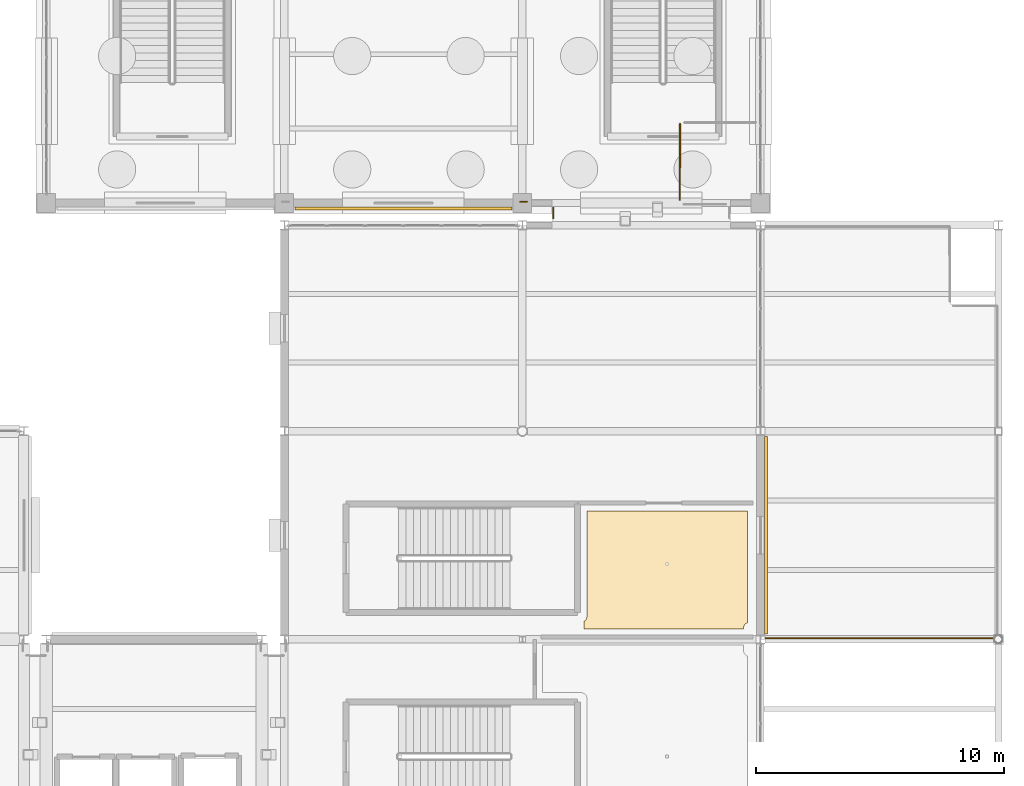
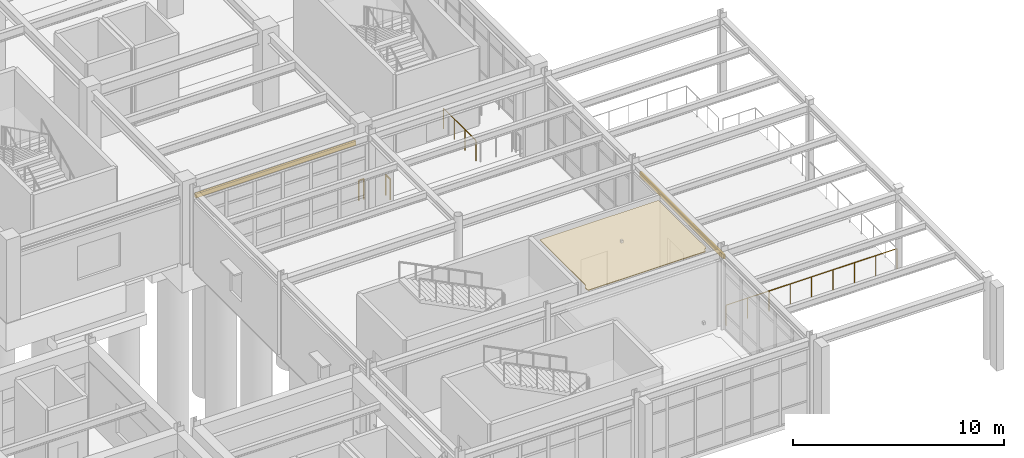
# One storey, part 128 of 139: 4 railings, 3 coverings.
"""IFC4 building model written with IfcOpenShell, lengths in metres."""

from ifc_helpers import new_model, si_unit, direction, frame, origin, origin_2d, place, context, subcontext, project, spatial, polyline, rectangle, circle, outline, extrude, material, layer, layer_set, type_object, element, save


model = new_model("IFC4")

# Units and contexts
model_context = context("Model", 3, precision=1e-05, world=origin(), true_north=direction((0.0, 1.0)))
body_context = subcontext(model_context, "Body", "Model", "MODEL_VIEW")
ifc_project = project(units=[si_unit("LENGTHUNIT", "METRE"), si_unit("AREAUNIT", "SQUARE_METRE"), si_unit("VOLUMEUNIT", "CUBIC_METRE"), si_unit("PLANEANGLEUNIT", "RADIAN"), si_unit("MASSUNIT", "GRAM", prefix="KILO")], contexts=[model_context])

# Site, building, storey
site_placement = place(None, origin())
site = spatial("IfcSite", under=ifc_project, at=site_placement, CompositionType="ELEMENT")
building_placement = place(site_placement, origin())
building = spatial("IfcBuilding", under=site, at=building_placement, Name="Canglan Escarpment Cableway Terminal", CompositionType="ELEMENT")
storey_placement = place(building_placement, frame((0.0, 0.0, 14.39990234375)))
storey = spatial("IfcBuildingStorey", under=building, at=storey_placement, Name="L03", CompositionType="ELEMENT", Elevation=14.39990234375)

# Coverings
ifc_material_1 = material(Name="Micro-perforated acoustic aluminium ceiling", Category="aluminium")
ifc_layer_1 = layer(ifc_material_1, 0.0400390625, Name="Micro-perforated acoustic aluminium ceiling")
ifc_layer_set_1 = layer_set([ifc_layer_1], Name="Micro-perforated acoustic aluminium ceiling")
covering_type_1 = type_object("IfcCoveringType", Name="COV-CEIL-ACOUSTIC-40", PredefinedType="CEILING", material=ifc_layer_set_1)
covering_1_placement = place(storey_placement, frame((0.0, 0.0, 4.340087890625)))
element("IfcCovering", 1, at=covering_1_placement, inside=storey, type_object=covering_type_1, Name="Panorama Bistro Bar suspended acoustic ceiling", PredefinedType="CEILING", context=body_context, shape_type="SweptSolid", body=[
    extrude(outline(polyline([(159.280029296875, 17.1123046875), (159.280029296875, 17.1142578125), (159.280517578125, 17.1162109375), (159.28076171875, 17.117919921875), (159.281494140625, 17.11962890625), (159.2822265625, 17.12158203125), (159.283203125, 17.123046875), (159.2841796875, 17.12451171875), (159.285400390625, 17.126220703125), (159.28662109375, 17.12744140625), (159.2880859375, 17.12841796875), (159.289794921875, 17.129638671875), (159.3017578125, 17.13671875), (159.302490234375, 17.137451171875), (159.319091796875, 17.149658203125), (159.31982421875, 17.150390625), (159.335205078125, 17.1640625), (159.3359375, 17.164794921875), (159.349609375, 17.18017578125), (159.350341796875, 17.180908203125), (159.362548828125, 17.197509765625), (159.36328125, 17.1982421875), (159.373779296875, 17.2158203125), (159.374267578125, 17.216796875), (159.383056640625, 17.2353515625), (159.38330078125, 17.236328125), (159.390380859375, 17.255615234375), (159.390625, 17.256591796875), (159.395751953125, 17.276611328125), (159.395751953125, 17.277587890625), (159.39892578125, 17.298095703125), (159.39892578125, 17.298828125), (159.39990234375, 17.31982421875), (159.39990234375, 17.3203125), (159.39990234375, 21.56005859375), (159.400146484375, 21.56201171875), (159.400390625, 21.56396484375), (159.40087890625, 21.56591796875), (159.401611328125, 21.567626953125), (159.40234375, 21.5693359375), (159.4033203125, 21.571044921875), (159.404541015625, 21.57275390625), (159.406005859375, 21.57421875), (159.4072265625, 21.575439453125), (159.408935546875, 21.57666015625), (159.41064453125, 21.57763671875), (159.412353515625, 21.57861328125), (159.414306640625, 21.5791015625), (159.416015625, 21.57958984375), (159.41796875, 21.579833984375), (159.419921875, 21.580078125), (165.860107421875, 21.580078125), (165.862060546875, 21.579833984375), (165.864013671875, 21.57958984375), (165.86572265625, 21.5791015625), (165.86767578125, 21.57861328125), (165.869384765625, 21.57763671875), (165.87109375, 21.57666015625), (165.872802734375, 21.575439453125), (165.8740234375, 21.57421875), (165.87548828125, 21.57275390625), (165.876708984375, 21.571044921875), (165.877685546875, 21.5693359375), (165.87841796875, 21.567626953125), (165.879150390625, 21.56591796875), (165.879638671875, 21.56396484375), (165.8798828125, 21.56201171875), (165.8798828125, 21.56005859375), (165.8798828125, 17.0859375), (165.8798828125, 17.083984375), (165.879638671875, 17.082275390625), (165.879150390625, 17.080322265625), (165.878662109375, 17.07861328125), (165.877685546875, 17.076904296875), (165.876953125, 17.0751953125), (165.875732421875, 17.07373046875), (165.87451171875, 17.072265625), (165.873291015625, 17.071044921875), (165.87158203125, 17.06982421875), (165.8701171875, 17.06884765625), (165.868408203125, 17.06787109375), (165.86669921875, 17.067138671875), (165.856201171875, 17.0634765625), (165.85546875, 17.06298828125), (165.836669921875, 17.05419921875), (165.8359375, 17.0537109375), (165.818115234375, 17.043212890625), (165.8173828125, 17.04248046875), (165.80078125, 17.030517578125), (165.800048828125, 17.02978515625), (165.784912109375, 17.015869140625), (165.7841796875, 17.01513671875), (165.770263671875, 17.0), (165.76953125, 16.999267578125), (165.75732421875, 16.982666015625), (165.7568359375, 16.981689453125), (165.74609375, 16.964111328125), (165.745849609375, 16.96337890625), (165.737060546875, 16.944580078125), (165.736572265625, 16.943603515625), (165.7294921875, 16.92431640625), (165.7294921875, 16.92333984375), (165.724365234375, 16.9033203125), (165.72412109375, 16.90234375), (165.72119140625, 16.882080078125), (165.720947265625, 16.881103515625), (165.719970703125, 16.860107421875), (165.719970703125, 16.85986328125), (165.719970703125, 16.840087890625), (165.719970703125, 16.837890625), (165.719482421875, 16.836181640625), (165.718994140625, 16.834228515625), (165.718505859375, 16.832275390625), (165.717529296875, 16.83056640625), (165.716552734375, 16.828857421875), (165.715576171875, 16.827392578125), (165.714111328125, 16.825927734375), (165.712646484375, 16.824462890625), (165.711181640625, 16.823486328125), (165.70947265625, 16.822509765625), (165.707763671875, 16.821533203125), (165.705810546875, 16.82080078125), (165.703857421875, 16.8203125), (165.701904296875, 16.820068359375), (165.699951171875, 16.820068359375), (159.300048828125, 16.820068359375), (159.298095703125, 16.820068359375), (159.296142578125, 16.8203125), (159.294189453125, 16.82080078125), (159.292236328125, 16.821533203125), (159.29052734375, 16.822509765625), (159.288818359375, 16.823486328125), (159.287353515625, 16.824462890625), (159.285888671875, 16.825927734375), (159.284423828125, 16.827392578125), (159.283447265625, 16.828857421875), (159.282470703125, 16.83056640625), (159.281494140625, 16.832275390625), (159.281005859375, 16.834228515625), (159.280517578125, 16.836181640625), (159.280029296875, 16.837890625), (159.280029296875, 16.840087890625), (159.280029296875, 17.1123046875)])), origin(), (0.0, 0.0, 1.0), 0.0400390625),
])
ifc_material_2 = material(Name="Carved classical limestone cornice", Category="masonry")
ifc_layer_2 = layer(ifc_material_2, 0.1201171875, Name="Carved classical limestone cornice")
ifc_layer_set_2 = layer_set([ifc_layer_2], Name="Carved classical limestone cornice")
covering_type_2 = type_object("IfcCoveringType", Name="COV-CORNICE-STONE", PredefinedType="CLADDING", material=ifc_layer_set_2)
covering_2_placement = place(storey_placement, frame((166.6201171875, 20.60009765625, 3.7373046875), z_axis=(0.0, 0.0, 1.0), x_axis=(0.0, 1.0, 0.0)))
element("IfcCovering", 2, at=covering_2_placement, inside=storey, type_object=covering_type_2, Name="Classical carved limestone cornice CL-01", PredefinedType="CLADDING", context=body_context, shape_type="SweptSolid", body=[
    extrude(rectangle(XDim=7.949951171875, YDim=0.1201171875, at=origin_2d()), origin(), (0.0, 0.0, 1.0), 0.239990234375),
])
covering_3_placement = place(storey_placement, frame((152.0, 33.780029296875, 3.52490234375), z_axis=(0.0, 0.0, 1.0), x_axis=(1.0, 0.0, 0.0)))
element("IfcCovering", 3, at=covering_3_placement, inside=storey, type_object=covering_type_2, Name="Classical carved limestone cornice CL-01", PredefinedType="CLADDING", context=body_context, shape_type="SweptSolid", body=[
    extrude(rectangle(XDim=8.75, YDim=0.1201171875, at=origin_2d()), origin(), (0.0, 0.0, 1.0), 0.239990234375),
])

# Railings
ifc_material_3 = material(Name="Carved limestone and anodized bronze balustrade", Category="masonry")
railing_type = type_object("IfcRailingType", Name="RL-EXT-BALUSTRADE-1200", PredefinedType="BALUSTRADE", material=ifc_material_3)
railing_1_placement = place(storey_placement, frame((158.050048828125, 33.389892578125, 0.0)))
element("IfcRailing", 4, at=railing_1_placement, inside=storey, type_object=railing_type, Name="Classical terrace balustrade guard GD-01 (L03)", PredefinedType="BALUSTRADE", context=body_context, shape_type="SweptSolid", body=[
    extrude(circle(Radius=0.02392578125, at=origin_2d()), frame((0.0, 0.0, 1.17578125), z_axis=(0.0, 1.0, 0.0), x_axis=(-1.0, 0.0, 0.0)), (0.0, 0.0, 1.0), 0.420166015625),
    extrude(circle(Radius=0.02099609375, at=origin_2d()), origin(), (0.0, 0.0, 1.0), 1.15185546875),
    extrude(circle(Radius=0.02099609375, at=origin_2d()), frame((0.0, 0.420166015625, 0.0)), (0.0, 0.0, 1.0), 1.15185546875),
])
railing_2_placement = place(storey_placement, frame((156.985107421875, 34.050048828125, 0.0)))
element("IfcRailing", 5, at=railing_2_placement, inside=storey, type_object=railing_type, Name="Classical terrace balustrade guard GD-01 (L03)", PredefinedType="BALUSTRADE", context=body_context, shape_type="SweptSolid", body=[
    extrude(circle(Radius=0.02392578125, at=origin_2d()), frame((0.0, 0.0, 1.17578125), z_axis=(-1.0, 0.0, 0.0), x_axis=(0.0, -1.0, 0.0)), (0.0, 0.0, 1.0), 0.27001953125),
    extrude(circle(Radius=0.02099609375, at=origin_2d()), origin(), (0.0, 0.0, 1.0), 1.15185546875),
    extrude(circle(Radius=0.02099609375, at=origin_2d()), frame((-0.27001953125, 0.0, 0.0)), (0.0, 0.0, 1.0), 1.15185546875),
])
railing_3_placement = place(storey_placement, frame((163.156005859375, 37.20068359375, 0.0)))
element("IfcRailing", 6, at=railing_3_placement, inside=storey, type_object=railing_type, Name="Classical terrace balustrade guard GD-01 (L03)", PredefinedType="BALUSTRADE", context=body_context, shape_type="SweptSolid", body=[
    extrude(circle(Radius=0.02392578125, at=origin_2d()), frame((0.0, 0.0, 1.17578125), z_axis=(-0.001984438068, -0.999998031001, 0.0), x_axis=(0.999998031001, -0.001984438068, 0.0)), (0.0, 0.0, 1.0), 3.07568359375),
    extrude(circle(Radius=0.02099609375, at=origin_2d()), origin(), (0.0, 0.0, 1.0), 1.15185546875),
    extrude(circle(Radius=0.02099609375, at=origin_2d()), frame((-0.001953125, -1.025146484375, 0.0)), (0.0, 0.0, 1.0), 1.15185546875),
    extrude(circle(Radius=0.02099609375, at=origin_2d()), frame((-0.004150390625, -2.050537109375, 0.0)), (0.0, 0.0, 1.0), 1.15185546875),
    extrude(circle(Radius=0.02099609375, at=origin_2d()), frame((-0.006103515625, -3.07568359375, 0.0)), (0.0, 0.0, 1.0), 1.15185546875),
])
railing_4_placement = place(storey_placement, frame((175.949951171875, 16.451904296875, 0.0)))
element("IfcRailing", 7, at=railing_4_placement, inside=storey, type_object=railing_type, Name="Classical terrace balustrade guard GD-01 (L03)", PredefinedType="BALUSTRADE", context=body_context, shape_type="SweptSolid", body=[
    extrude(circle(Radius=0.02392578125, at=origin_2d()), frame((0.0, 0.0, 1.17578125), z_axis=(-0.999999978117, -0.000209205016, 0.0), x_axis=(0.000209205016, -0.999999978117, 0.0)), (0.0, 0.0, 1.0), 9.3359375),
    extrude(circle(Radius=0.02099609375, at=origin_2d()), origin(), (0.0, 0.0, 1.0), 1.15185546875),
    extrude(circle(Radius=0.02099609375, at=origin_2d()), frame((-1.1669921875, -0.000244140625, 0.0)), (0.0, 0.0, 1.0), 1.15185546875),
    extrude(circle(Radius=0.02099609375, at=origin_2d()), frame((-2.333984375, -0.00048828125, 0.0)), (0.0, 0.0, 1.0), 1.15185546875),
    extrude(circle(Radius=0.02099609375, at=origin_2d()), frame((-3.5009765625, -0.000732421875, 0.0)), (0.0, 0.0, 1.0), 1.15185546875),
    extrude(circle(Radius=0.02099609375, at=origin_2d()), frame((-4.66796875, -0.0009765625, 0.0)), (0.0, 0.0, 1.0), 1.15185546875),
    extrude(circle(Radius=0.02099609375, at=origin_2d()), frame((-5.8349609375, -0.001220703125, 0.0)), (0.0, 0.0, 1.0), 1.15185546875),
    extrude(circle(Radius=0.02099609375, at=origin_2d()), frame((-7.001953125, -0.00146484375, 0.0)), (0.0, 0.0, 1.0), 1.15185546875),
    extrude(circle(Radius=0.02099609375, at=origin_2d()), frame((-8.1689453125, -0.001708984375, 0.0)), (0.0, 0.0, 1.0), 1.15185546875),
    extrude(circle(Radius=0.02099609375, at=origin_2d()), frame((-9.3359375, -0.001953125, 0.0)), (0.0, 0.0, 1.0), 1.15185546875),
])

save(model, "model.ifc")
